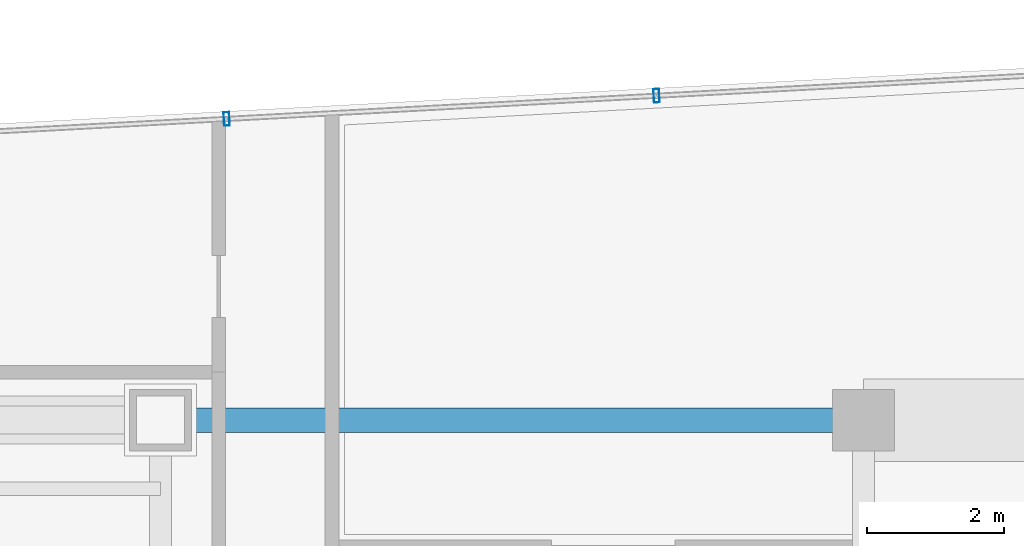
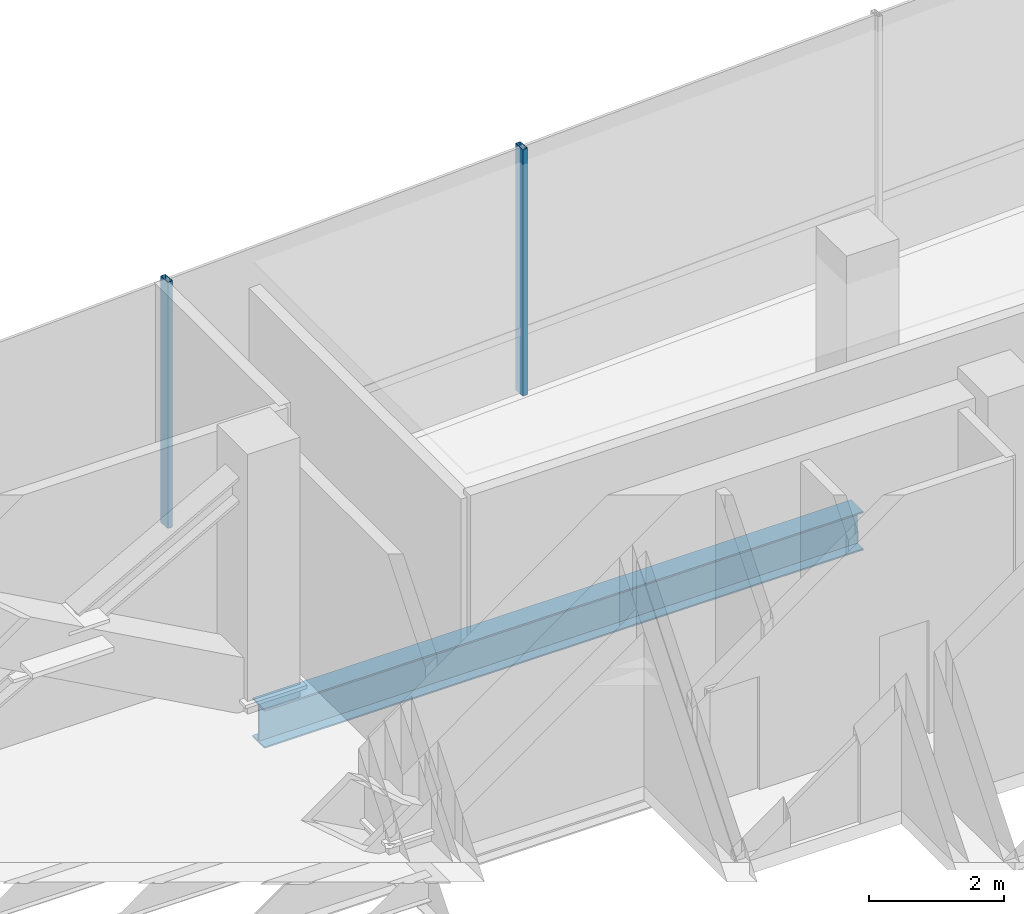
# One storey, part 12 of 20: 2 members, 1 beam, 1 element without a shape of its own.
"""IFC4 building model written with IfcOpenShell, lengths in metres."""

from ifc_helpers import new_model, si_unit, direction, frame, origin, origin_2d, place, context, subcontext, project, spatial, hollow_rectangle, i_section, extrude, source, transform, mapped, material, material_profile, profile_set, type_object, element, aggregate, save


model = new_model("IFC4")

# Units and contexts
model_context = context("Model", 3, precision=1e-05, world=origin(), true_north=direction((0.0, 1.0)))
body_context = subcontext(model_context, "Body", "Model", "MODEL_VIEW")
ifc_project = project(units=[si_unit("LENGTHUNIT", "METRE"), si_unit("AREAUNIT", "SQUARE_METRE"), si_unit("VOLUMEUNIT", "CUBIC_METRE"), si_unit("PLANEANGLEUNIT", "RADIAN"), si_unit("MASSUNIT", "GRAM", prefix="KILO")], contexts=[model_context])

# Site, building, storey
site_placement = place(None, origin())
site = spatial("IfcSite", under=ifc_project, at=site_placement, CompositionType="ELEMENT")
building_placement = place(site_placement, origin())
building = spatial("IfcBuilding", under=site, at=building_placement, Name="Valdorenza Pilgrim Sanctuary Tower", CompositionType="ELEMENT")
storey_placement = place(building_placement, frame((0.0, 0.0, 196.300048828125)))
storey = spatial("IfcBuildingStorey", under=building, at=storey_placement, Name="L50", CompositionType="ELEMENT", Elevation=196.300048828125)

# Beam
ifc_material_1 = material(Name="Steel ASTM A992 Grade 50", Category="steel")
ifc_material_profile_1 = material_profile(ifc_material_1, i_section(OverallWidth=0.35595703125, OverallDepth=0.700927734375, WebThickness=0.016845703125, FlangeThickness=0.02734375, at=origin_2d()), Name="W27X161")
ifc_profile_set_1 = profile_set([ifc_material_profile_1], Name="Steel ASTM A992 Grade 50")
beam_type = type_object("IfcBeamType", Name="STR-BM-GRD-W27", PredefinedType="BEAM", material=ifc_profile_set_1)
shared_shape_1 = source(origin(), body_context, "Body", "SweptSolid", [
    extrude(i_section(OverallWidth=0.35595703125, OverallDepth=0.700927734375, WebThickness=0.016845703125, FlangeThickness=0.02734375, at=origin_2d()), origin(), (0.0, 0.0, 1.0), 10.25),
])
beam_placement = place(storey_placement, frame((-22.64990234375, 14.800048828125, -0.590576171875), z_axis=(1.0, 0.0, 0.0), x_axis=(0.0, 1.0, 0.0)))
element("IfcBeam", 1, at=beam_placement, inside=storey, type_object=beam_type, Name="L50 Floor Girder CA-XC-N2", PredefinedType="BEAM", context=body_context, shape_type="MappedRepresentation", body=[
    mapped(shared_shape_1, transform((0.0, 0.0, 0.0), x_axis=(1.0, 0.0, 0.0), y_axis=(0.0, 1.0, 0.0), z_axis=(0.0, 0.0, 1.0), scale=1.0)),
])

# Curtain wall, members
ifc_material_2 = material(Name="Curtain-wall IGU glazing", Category="glass")
curtain_wall_type = type_object("IfcCurtainWallType", Name="CW-SYS-02", PredefinedType="NOTDEFINED", material=ifc_material_2)
curtain_wall_placement = place(storey_placement, origin())
curtain_wall = element("IfcCurtainWall", 2, at=curtain_wall_placement, inside=storey, type_object=curtain_wall_type, Name="L50 Curtain Wall CW-L50-1-6", PredefinedType="NOTDEFINED")
ifc_material_3 = material(Name="Anodised aluminium AW-6060", Category="aluminium")
ifc_material_profile_2 = material_profile(ifc_material_3, hollow_rectangle(XDim=0.0849609375, YDim=0.199951171875, WallThickness=0.0048828125, at=origin_2d()), Name="ALU-M 200x85x5")
ifc_profile_set_2 = profile_set([ifc_material_profile_2], Name="Anodised aluminium AW-6060")
member_type = type_object("IfcMemberType", Name="CW-MUL-02", PredefinedType="MULLION", material=ifc_profile_set_2)
shared_shape_2 = source(origin(), body_context, "Body", "SweptSolid", [
    extrude(hollow_rectangle(XDim=0.0849609375, YDim=0.199951171875, WallThickness=0.0048828125, at=origin_2d()), origin(), (0.0, 0.0, 1.0), 4.4599609375),
])
member_1_placement = place(storey_placement, frame((-21.686279296875, 19.1923828125, 0.0), z_axis=(0.0, 0.0, 1.0), x_axis=(0.998547034311, 0.053887106711, 0.0)))
member_1 = element("IfcMember", 3, at=member_1_placement, type_object=member_type, Name="CW-L50-1-6 Mullion 2", PredefinedType="MULLION", context=body_context, shape_type="MappedRepresentation", body=[
    mapped(shared_shape_2, transform((0.0, 0.0, 0.0), x_axis=(1.0, 0.0, 0.0), y_axis=(0.0, 1.0, 0.0), z_axis=(0.0, 0.0, 1.0), scale=1.0)),
])
member_2_placement = place(storey_placement, frame((-15.4169921875, 19.531005859375, 0.0), z_axis=(0.0, 0.0, 1.0), x_axis=(0.998547034311, 0.053887106711, 0.0)))
member_2 = element("IfcMember", 4, at=member_2_placement, type_object=member_type, Name="CW-L50-1-6 Mullion 3", PredefinedType="MULLION", context=body_context, shape_type="MappedRepresentation", body=[
    mapped(shared_shape_2, transform((0.0, 0.0, 0.0), x_axis=(1.0, 0.0, 0.0), y_axis=(0.0, 1.0, 0.0), z_axis=(0.0, 0.0, 1.0), scale=1.0)),
])
aggregate(curtain_wall, [member_1, member_2])

save(model, "model.ifc")
